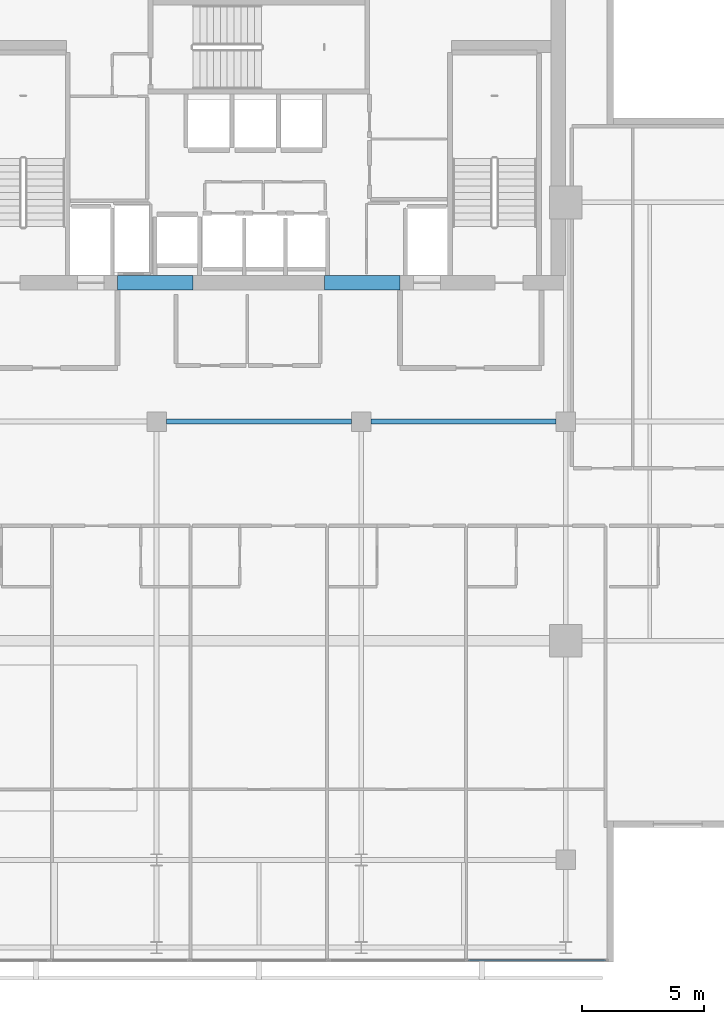
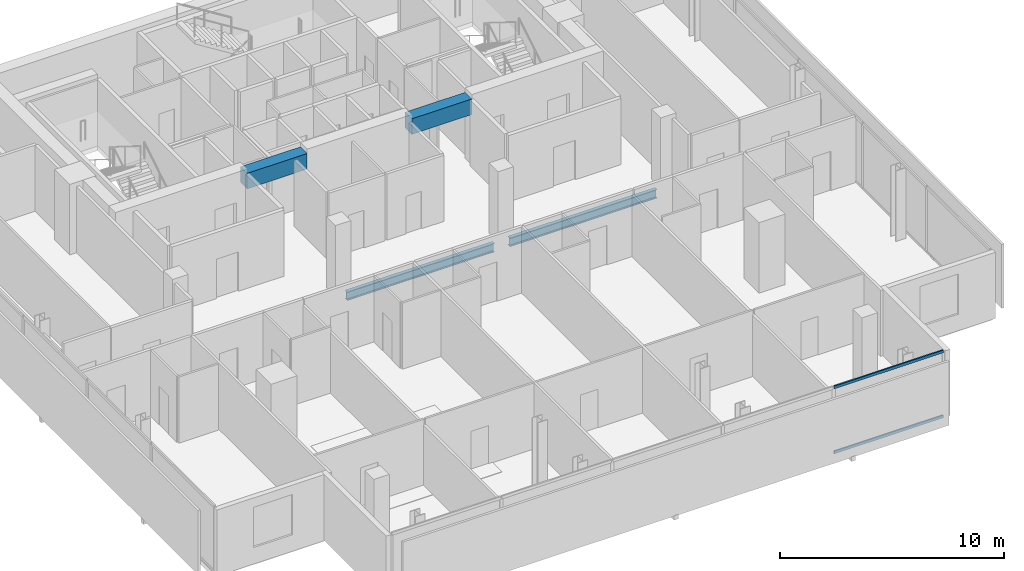
# One storey, part 10 of 24: 4 beams, 2 members, 1 element without a shape of its own.
"""IFC4 building model written with IfcOpenShell, lengths in metres."""

from ifc_helpers import new_model, si_unit, direction, frame, origin, origin_2d, place, context, subcontext, project, spatial, rectangle, hollow_rectangle, i_section, extrude, material, layer, layer_set, material_profile, profile_set, type_object, element, aggregate, save


model = new_model("IFC4")

# Units and contexts
model_context = context("Model", 3, precision=1e-05, world=origin(), true_north=direction((0.0, 1.0)))
body_context = subcontext(model_context, "Body", "Model", "MODEL_VIEW")
ifc_project = project(units=[si_unit("LENGTHUNIT", "METRE"), si_unit("AREAUNIT", "SQUARE_METRE"), si_unit("VOLUMEUNIT", "CUBIC_METRE"), si_unit("PLANEANGLEUNIT", "RADIAN"), si_unit("MASSUNIT", "GRAM", prefix="KILO")], contexts=[model_context])

# Site, building, storey
site_placement = place(None, origin())
site = spatial("IfcSite", under=ifc_project, at=site_placement, CompositionType="ELEMENT")
building_placement = place(site_placement, origin())
building = spatial("IfcBuilding", under=site, at=building_placement, Name="Maruvema Waterfront Hotel and Observation Tower", CompositionType="ELEMENT")
storey_placement = place(building_placement, frame((0.0, 0.0, 325.85009765625)))
storey = spatial("IfcBuildingStorey", under=building, at=storey_placement, Name="L80", CompositionType="ELEMENT", Elevation=325.85009765625)

# Beams
ifc_material_1 = material(Name="Concrete C60/75", Category="concrete")
ifc_material_profile_1 = material_profile(ifc_material_1, rectangle(XDim=0.60009765625, YDim=0.85009765625, at=origin_2d()), Name="CB600x850")
ifc_profile_set_1 = profile_set([ifc_material_profile_1], Name="Concrete C60/75")
beam_type_1 = type_object("IfcBeamType", Name="Core Coupling Lintel Beam CB600x850", PredefinedType="LINTEL", material=ifc_profile_set_1)
for number, where, z_axis, x_axis, name in (
    (1, (32.0, 41.699951171875, 3.184814453125), (1.0, 0.0, 0.0), (0.0, 1.0, 0.0), "L80 Core Coupling Lintel Beam West"),
    (2, (40.5, 41.699951171875, 3.184814453125), (1.0, 0.0, 0.0), (0.0, 1.0, 0.0), "L80 Core Coupling Lintel Beam East"),
):
    element("IfcBeam", number, at=place(storey_placement, frame(where, z_axis=z_axis, x_axis=x_axis)), inside=storey, type_object=beam_type_1, Name=name, PredefinedType="LINTEL", context=body_context, shape_type="SweptSolid", body=[
        extrude(rectangle(XDim=0.60009765625, YDim=0.85009765625, at=origin_2d()), origin(), (0.0, 0.0, 1.0), 3.10009765625),
    ])

# Curtain wall, members
ifc_material_2 = material(Name="Anodised bronze aluminium and solar-control low-E IGU", Category="aluminium")
ifc_layer = layer(ifc_material_2, 0.159912109375, Name="Zone 4 Sky Residence Inner Curtain Wall System CW-05")
ifc_layer_set = layer_set([ifc_layer], Name="Anodised bronze aluminium and solar-control low-E IGU")
curtain_wall_type = type_object("IfcCurtainWallType", Name="Zone 4 Sky Residence Inner Curtain Wall System CW-05", PredefinedType="USERDEFINED", material=ifc_layer_set)
curtain_wall_placement = place(storey_placement, origin())
curtain_wall = element("IfcCurtainWall", 3, at=curtain_wall_placement, inside=storey, type_object=curtain_wall_type, Name="L80 Curtain Wall CW-L80-S", ObjectType="UNITISED CURTAIN WALL", PredefinedType="USERDEFINED")
ifc_material_3 = material(Name="Anodised architectural bronze aluminium", Category="aluminium")
ifc_material_profile_2 = material_profile(ifc_material_3, hollow_rectangle(XDim=0.070068359375, YDim=0.14990234375, WallThickness=0.00390625, at=origin_2d()), Name="ALU-T70x150")
ifc_profile_set_2 = profile_set([ifc_material_profile_2], Name="Anodised architectural bronze aluminium")
member_type = type_object("IfcMemberType", Name="Curtain Wall Horizontal Transom ALU-T70x150", PredefinedType="USERDEFINED", material=ifc_profile_set_2)
member_1_placement = place(storey_placement, frame((46.409912109375, 13.8798828125, 0.02978515625), z_axis=(1.0, 0.0, 0.0), x_axis=(0.0, 1.0, 0.0)))
member_1 = element("IfcMember", 4, at=member_1_placement, type_object=member_type, Name="CW-05 transom 5.1", ObjectType="TRANSOM", PredefinedType="USERDEFINED", context=body_context, shape_type="SweptSolid", body=[
    extrude(hollow_rectangle(XDim=0.070068359375, YDim=0.14990234375, WallThickness=0.00390625, at=origin_2d()), origin(), (0.0, 0.0, 1.0), 5.630126953125),
])
member_2_placement = place(storey_placement, frame((46.409912109375, 13.8798828125, 3.579833984375), z_axis=(1.0, 0.0, 0.0), x_axis=(0.0, 1.0, 0.0)))
member_2 = element("IfcMember", 5, at=member_2_placement, type_object=member_type, Name="CW-05 transom 5.2", ObjectType="TRANSOM", PredefinedType="USERDEFINED", context=body_context, shape_type="SweptSolid", body=[
    extrude(hollow_rectangle(XDim=0.070068359375, YDim=0.14990234375, WallThickness=0.00390625, at=origin_2d()), origin(), (0.0, 0.0, 1.0), 5.630126953125),
])
aggregate(curtain_wall, [member_1, member_2])

# Beams
ifc_material_4 = material(Name="Steel ASTM A572 Grade 50", Category="steel")
ifc_material_profile_3 = material_profile(ifc_material_4, i_section(OverallWidth=0.194091796875, OverallDepth=0.468994140625, WebThickness=0.0126953125, FlangeThickness=0.0205078125, FilletRadius=0.014892578125, at=origin_2d()), Name="W460x106.0")
ifc_profile_set_3 = profile_set([ifc_material_profile_3], Name="Steel ASTM A572 Grade 50")
beam_type_2 = type_object("IfcBeamType", Name="Primary Floor Girder W460x106.0", PredefinedType="BEAM", material=ifc_profile_set_3)
for number, where, z_axis, x_axis, name in (
    (6, (34.0, 36.0, -0.474609375), (1.0, 0.0, 0.0), (0.0, 1.0, 0.0), "L80 Floor Girder EW-12"),
    (7, (42.39990234375, 36.0, -0.474609375), (1.0, 0.0, 0.0), (0.0, 1.0, 0.0), "L80 Floor Girder EW-13"),
):
    element("IfcBeam", number, at=place(storey_placement, frame(where, z_axis=z_axis, x_axis=x_axis)), inside=storey, type_object=beam_type_2, Name=name, PredefinedType="BEAM", context=body_context, shape_type="SweptSolid", body=[
        extrude(i_section(OverallWidth=0.194091796875, OverallDepth=0.468994140625, WebThickness=0.0126953125, FlangeThickness=0.0205078125, FilletRadius=0.014892578125, at=origin_2d()), origin(), (0.0, 0.0, 1.0), 7.60009765625),
    ])

save(model, "model.ifc")
